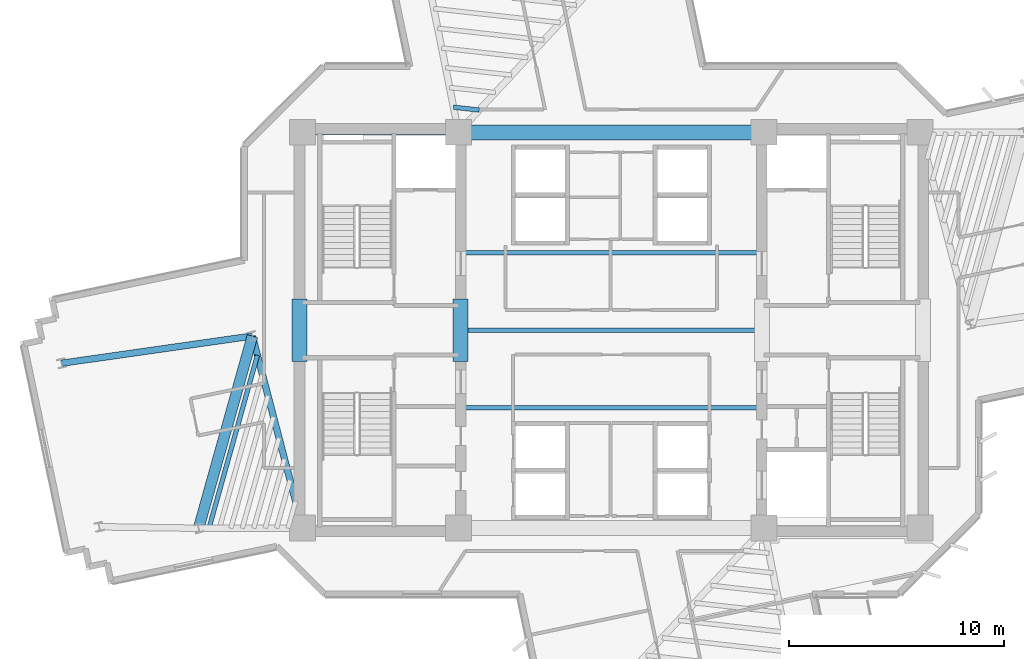
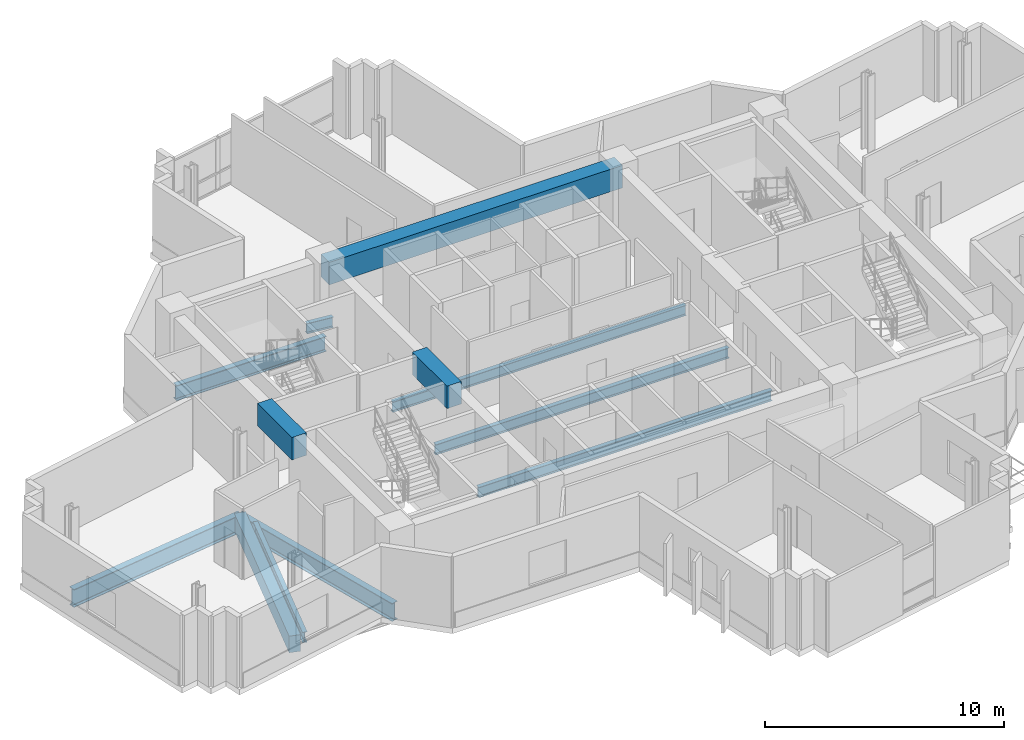
# One storey, part 3 of 14: 12 beams.
"""IFC4 building model written with IfcOpenShell, lengths in metres."""

from ifc_helpers import new_model, si_unit, direction, frame, origin, origin_2d, place, context, subcontext, project, spatial, rectangle, i_section, extrude, source, transform, mapped, material, material_profile, profile_set, type_object, element, save


model = new_model("IFC4")

# Units and contexts
model_context = context("Model", 3, precision=1e-05, world=origin(), true_north=direction((0.0, 1.0)))
body_context = subcontext(model_context, "Body", "Model", "MODEL_VIEW")
ifc_project = project(units=[si_unit("LENGTHUNIT", "METRE"), si_unit("AREAUNIT", "SQUARE_METRE"), si_unit("VOLUMEUNIT", "CUBIC_METRE"), si_unit("PLANEANGLEUNIT", "RADIAN"), si_unit("MASSUNIT", "GRAM", prefix="KILO")], contexts=[model_context])

# Site, building, storey
site_placement = place(None, origin())
site = spatial("IfcSite", under=ifc_project, at=site_placement, CompositionType="ELEMENT")
building_placement = place(site_placement, origin())
building = spatial("IfcBuilding", under=site, at=building_placement, Name="Zahravan Cultural Tower", CompositionType="ELEMENT")
storey_placement = place(building_placement, frame((0.0, 0.0, 162.89990234375)))
storey = spatial("IfcBuildingStorey", under=building, at=storey_placement, Name="L37", CompositionType="ELEMENT", Elevation=162.89990234375)

# Beams
ifc_material_1 = material(Name="Concrete C50/60", Category="concrete")
ifc_material_profile_1 = material_profile(ifc_material_1, rectangle(XDim=0.699951171875, YDim=1.14990234375, at=origin_2d()), Name="RC700X1150")
ifc_profile_set_1 = profile_set([ifc_material_profile_1], Name="Concrete C50/60")
beam_type_1 = type_object("IfcBeamType", Name="BM-LN-RC700X1150", PredefinedType="LINTEL", material=ifc_profile_set_1)
shared_shape_1 = source(origin(), body_context, "Body", "SweptSolid", [
    extrude(rectangle(XDim=0.699951171875, YDim=1.14990234375, at=origin_2d()), origin(), (0.0, 0.0, 1.0), 14.2001953125),
])
beam_1_placement = place(storey_placement, frame((28.89990234375, 36.199951171875, 3.045166015625), z_axis=(1.0, 0.0, 0.0), x_axis=(0.0, 1.0, 0.0)))
element("IfcBeam", 1, at=beam_1_placement, inside=storey, type_object=beam_type_1, Name="L37 Beam LN-L37-N", PredefinedType="LINTEL", context=body_context, shape_type="MappedRepresentation", body=[
    mapped(shared_shape_1, transform((0.0, 0.0, 0.0), x_axis=(1.0, 0.0, 0.0), y_axis=(0.0, 1.0, 0.0), z_axis=(0.0, 0.0, 1.0), scale=1.0)),
])
shared_shape_2 = source(origin(), body_context, "Body", "SweptSolid", [
    extrude(rectangle(XDim=0.699951171875, YDim=1.14990234375, at=origin_2d()), origin(), (0.0, 0.0, 1.0), 2.89990234375),
])
for number, where, z_axis, x_axis, name in (
    (2, (21.5, 25.550048828125, 3.045166015625), (0.0, 1.0, 0.0), (-1.0, 0.0, 0.0), "L37 Beam LN-L37-PWW"),
    (3, (29.0, 25.550048828125, 3.045166015625), (0.0, 1.0, 0.0), (-1.0, 0.0, 0.0), "L37 Beam LN-L37-PWE"),
):
    element("IfcBeam", number, at=place(storey_placement, frame(where, z_axis=z_axis, x_axis=x_axis)), inside=storey, type_object=beam_type_1, Name=name, PredefinedType="LINTEL", context=body_context, shape_type="MappedRepresentation", body=[
        mapped(shared_shape_2, transform((0.0, 0.0, 0.0), x_axis=(1.0, 0.0, 0.0), y_axis=(0.0, 1.0, 0.0), z_axis=(0.0, 0.0, 1.0), scale=1.0)),
    ])
ifc_material_2 = material(Name="Steel ASTM A992 Grade 50", Category="steel")
ifc_material_profile_2 = material_profile(ifc_material_2, i_section(OverallWidth=0.26611328125, OverallDepth=0.780029296875, WebThickness=0.0166015625, FlangeThickness=0.030029296875, FilletRadius=0.01904296875, at=origin_2d()), Name="W30X148")
ifc_profile_set_2 = profile_set([ifc_material_profile_2], Name="Steel ASTM A992 Grade 50")
beam_type_2 = type_object("IfcBeamType", Name="BM-G-W30X148", PredefinedType="BEAM", material=ifc_profile_set_2)
shared_shape_3 = source(origin(), body_context, "Body", "SweptSolid", [
    extrude(i_section(OverallWidth=0.26611328125, OverallDepth=0.780029296875, WebThickness=0.0166015625, FlangeThickness=0.030029296875, FilletRadius=0.01904296875, at=origin_2d()), origin(), (0.0, 0.0, 1.0), 7.25),
])
beam_2_placement = place(storey_placement, frame((21.64990234375, 36.199951171875, -0.669921875), z_axis=(1.0, 0.0, 0.0), x_axis=(0.0, 1.0, 0.0)))
element("IfcBeam", 4, at=beam_2_placement, inside=storey, type_object=beam_type_2, Name="L37 Beam BG-L37-02", PredefinedType="BEAM", context=body_context, shape_type="MappedRepresentation", body=[
    mapped(shared_shape_3, transform((0.0, 0.0, 0.0), x_axis=(1.0, 0.0, 0.0), y_axis=(0.0, 1.0, 0.0), z_axis=(0.0, 0.0, 1.0), scale=1.0)),
])
ifc_material_profile_3 = material_profile(ifc_material_2, i_section(OverallWidth=0.304931640625, OverallDepth=0.9189453125, WebThickness=0.017333984375, FlangeThickness=0.02783203125, FilletRadius=0.02392578125, at=origin_2d()), Name="W36X170")
ifc_profile_set_3 = profile_set([ifc_material_profile_3], Name="Steel ASTM A992 Grade 50")
beam_type_3 = type_object("IfcBeamType", Name="BM-G-W36X170", PredefinedType="BEAM", material=ifc_profile_set_3)
shared_shape_4 = source(origin(), body_context, "Body", "SweptSolid", [
    extrude(i_section(OverallWidth=0.304931640625, OverallDepth=0.9189453125, WebThickness=0.017333984375, FlangeThickness=0.02783203125, FilletRadius=0.02392578125, at=origin_2d()), origin(), (0.0, 0.0, 1.0), 9.22900390625),
])
beam_3_placement = place(storey_placement, frame((21.64990234375, 17.800048828125, -0.739501953125), z_axis=(-0.252922608408, 0.967486513682, 0.0), x_axis=(-0.967486513682, -0.252922608408, 0.0)))
element("IfcBeam", 5, at=beam_3_placement, inside=storey, type_object=beam_type_3, Name="L37 Beam BG-L37-07", PredefinedType="BEAM", context=body_context, shape_type="MappedRepresentation", body=[
    mapped(shared_shape_4, transform((0.0, 0.0, 0.0), x_axis=(1.0, 0.0, 0.0), y_axis=(0.0, 1.0, 0.0), z_axis=(0.0, 0.0, 1.0), scale=1.0)),
])
shared_shape_5 = source(origin(), body_context, "Body", "SweptSolid", [
    extrude(i_section(OverallWidth=0.304931640625, OverallDepth=0.9189453125, WebThickness=0.017333984375, FlangeThickness=0.02783203125, FilletRadius=0.02392578125, at=origin_2d()), origin(), (0.0, 0.0, 1.0), 8.9580078125),
])
beam_4_placement = place(storey_placement, frame((19.315673828125, 26.72900390625, -0.739501953125), z_axis=(-0.990000122431, -0.141066500584, 0.0), x_axis=(0.141066500584, -0.990000122431, 0.0)))
element("IfcBeam", 6, at=beam_4_placement, inside=storey, type_object=beam_type_3, Name="L37 Beam BG-L37-17", PredefinedType="BEAM", context=body_context, shape_type="MappedRepresentation", body=[
    mapped(shared_shape_5, transform((0.0, 0.0, 0.0), x_axis=(1.0, 0.0, 0.0), y_axis=(0.0, 1.0, 0.0), z_axis=(0.0, 0.0, 1.0), scale=1.0)),
])
ifc_material_profile_4 = material_profile(ifc_material_1, rectangle(XDim=0.5, YDim=0.85009765625, at=origin_2d()), Name="RC500X850")
ifc_profile_set_4 = profile_set([ifc_material_profile_4], Name="Concrete C50/60")
beam_type_4 = type_object("IfcBeamType", Name="BM-SP-RC500X850", PredefinedType="SPANDREL", material=ifc_profile_set_4)
shared_shape_6 = source(origin(), body_context, "Body", "SweptSolid", [
    extrude(rectangle(XDim=0.5, YDim=0.85009765625, at=origin_2d()), origin(), (0.0, 0.0, 1.0), 9.2783203125),
])
beam_5_placement = place(storey_placement, frame((19.315673828125, 26.72900390625, -0.704833984375), z_axis=(-0.269497187032, -0.963001176625, 0.0), x_axis=(0.963001176625, -0.269497187032, 0.0)))
element("IfcBeam", 7, at=beam_5_placement, inside=storey, type_object=beam_type_4, Name="L37 Beam SP-L37-19", PredefinedType="SPANDREL", context=body_context, shape_type="MappedRepresentation", body=[
    mapped(shared_shape_6, transform((0.0, 0.0, 0.0), x_axis=(1.0, 0.0, 0.0), y_axis=(0.0, 1.0, 0.0), z_axis=(0.0, 0.0, 1.0), scale=1.0)),
])
ifc_material_profile_5 = material_profile(ifc_material_2, i_section(OverallWidth=0.2099609375, OverallDepth=0.532958984375, WebThickness=0.01025390625, FlangeThickness=0.015625, FilletRadius=0.013916015625, at=origin_2d()), Name="W21X62")
ifc_profile_set_5 = profile_set([ifc_material_profile_5], Name="Steel ASTM A992 Grade 50")
beam_type_5 = type_object("IfcBeamType", Name="BM-J-W21X62", PredefinedType="JOIST", material=ifc_profile_set_5)
shared_shape_7 = source(origin(), body_context, "Body", "SweptSolid", [
    extrude(i_section(OverallWidth=0.2099609375, OverallDepth=0.532958984375, WebThickness=0.01025390625, FlangeThickness=0.015625, FilletRadius=0.013916015625, at=origin_2d()), origin(), (0.0, 0.0, 1.0), 14.2001953125),
])
for number, where, z_axis, x_axis, name in (
    (8, (28.89990234375, 23.39990234375, -0.54638671875), (1.0, 0.0, 0.0), (0.0, 1.0, 0.0), "L37 Beam BJ-L37-23"),
    (9, (28.89990234375, 27.0, -0.54638671875), (1.0, 0.0, 0.0), (0.0, 1.0, 0.0), "L37 Beam BJ-L37-24"),
    (10, (28.89990234375, 30.60009765625, -0.54638671875), (1.0, 0.0, 0.0), (0.0, 1.0, 0.0), "L37 Beam BJ-L37-25"),
):
    element("IfcBeam", number, at=place(storey_placement, frame(where, z_axis=z_axis, x_axis=x_axis)), inside=storey, type_object=beam_type_5, Name=name, PredefinedType="JOIST", context=body_context, shape_type="MappedRepresentation", body=[
        mapped(shared_shape_7, transform((0.0, 0.0, 0.0), x_axis=(1.0, 0.0, 0.0), y_axis=(0.0, 1.0, 0.0), z_axis=(0.0, 0.0, 1.0), scale=1.0)),
    ])
shared_shape_8 = source(origin(), body_context, "Body", "SweptSolid", [
    extrude(i_section(OverallWidth=0.2099609375, OverallDepth=0.532958984375, WebThickness=0.01025390625, FlangeThickness=0.015625, FilletRadius=0.013916015625, at=origin_2d()), origin(), (0.0, 0.0, 1.0), 8.350830078125),
])
beam_6_placement = place(storey_placement, frame((19.549072265625, 25.836181640625, -0.54638671875), z_axis=(-0.269496539555, -0.963001357822, 0.0), x_axis=(0.963001357822, -0.269496539555, 0.0)))
element("IfcBeam", 11, at=beam_6_placement, inside=storey, type_object=beam_type_5, Name="L37 Beam BJ-L37-33", PredefinedType="JOIST", context=body_context, shape_type="MappedRepresentation", body=[
    mapped(shared_shape_8, transform((0.0, 0.0, 0.0), x_axis=(1.0, 0.0, 0.0), y_axis=(0.0, 1.0, 0.0), z_axis=(0.0, 0.0, 1.0), scale=1.0)),
])
shared_shape_9 = source(origin(), body_context, "Body", "SweptSolid", [
    extrude(i_section(OverallWidth=0.2099609375, OverallDepth=0.532958984375, WebThickness=0.01025390625, FlangeThickness=0.015625, FilletRadius=0.013916015625, at=origin_2d()), origin(), (0.0, 0.0, 1.0), 1.201171875),
])
beam_7_placement = place(storey_placement, frame((29.859619140625, 37.234375, -0.54638671875), z_axis=(-0.99379916149, 0.111190047317, 0.0), x_axis=(-0.111190047317, -0.99379916149, 0.0)))
element("IfcBeam", 12, at=beam_7_placement, inside=storey, type_object=beam_type_5, Name="L37 Beam BJ-L37-50", PredefinedType="JOIST", context=body_context, shape_type="MappedRepresentation", body=[
    mapped(shared_shape_9, transform((0.0, 0.0, 0.0), x_axis=(1.0, 0.0, 0.0), y_axis=(0.0, 1.0, 0.0), z_axis=(0.0, 0.0, 1.0), scale=1.0)),
])

save(model, "model.ifc")
